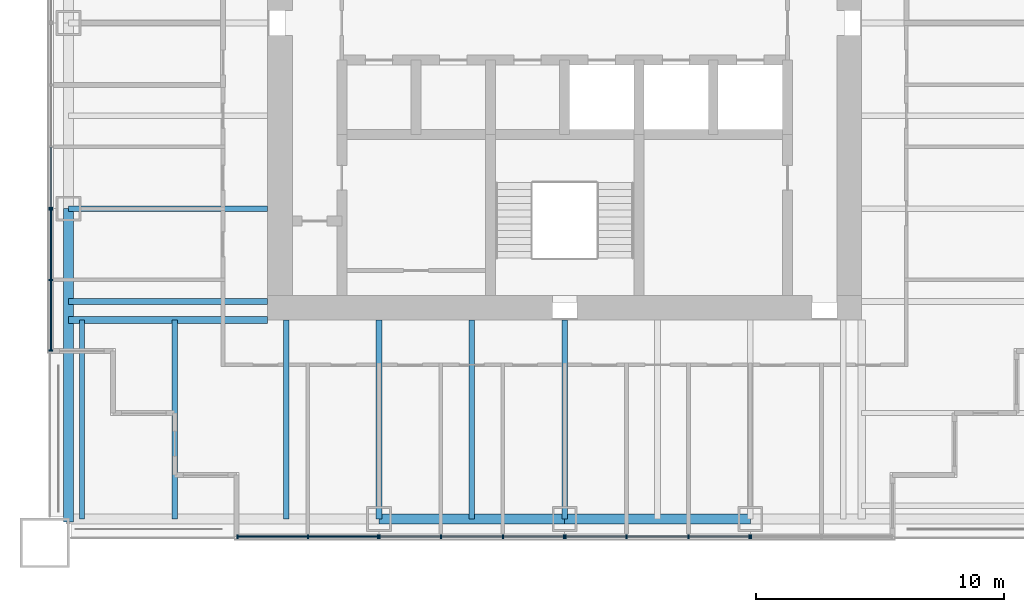
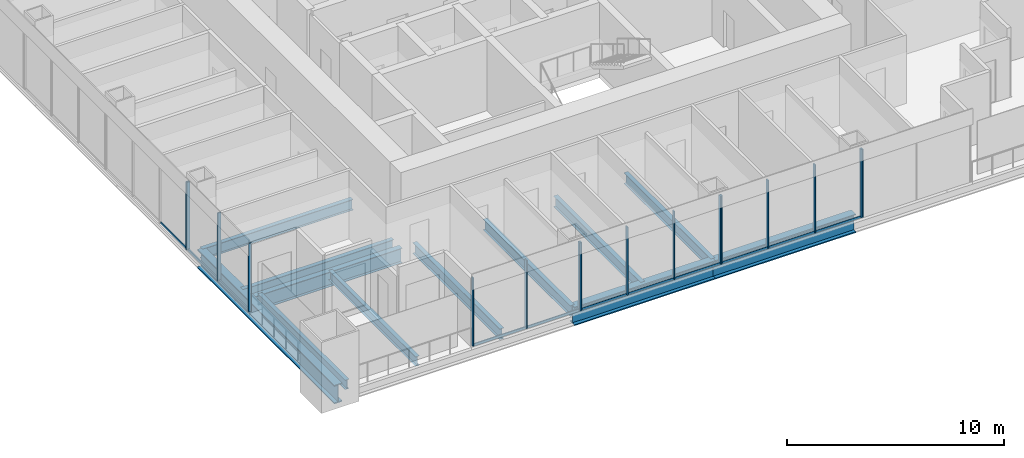
# One storey, part 2 of 14: 27 members, 12 beams, 6 elements without a shape of their own.
"""IFC4 building model written with IfcOpenShell, lengths in metres."""

from ifc_helpers import new_model, si_unit, direction, frame, origin, origin_2d, place, context, subcontext, project, spatial, rectangle, i_section, extrude, material, material_profile, profile_set, type_object, element, aggregate, save


model = new_model("IFC4")

# Units and contexts
model_context = context("Model", 3, precision=1e-05, world=origin(), true_north=direction((0.0, 1.0)))
body_context = subcontext(model_context, "Body", "Model", "MODEL_VIEW")
ifc_project = project(units=[si_unit("LENGTHUNIT", "METRE"), si_unit("AREAUNIT", "SQUARE_METRE"), si_unit("VOLUMEUNIT", "CUBIC_METRE"), si_unit("PLANEANGLEUNIT", "RADIAN"), si_unit("MASSUNIT", "GRAM", prefix="KILO")], contexts=[model_context])

# Site, building, storey
site_placement = place(None, origin())
site = spatial("IfcSite", under=ifc_project, at=site_placement, CompositionType="ELEMENT")
building_placement = place(site_placement, origin())
building = spatial("IfcBuilding", under=site, at=building_placement, Name="Tarangal Relay Tower", CompositionType="ELEMENT")
storey_placement = place(building_placement, frame((0.0, 0.0, 303.89990234375)))
storey = spatial("IfcBuildingStorey", under=building, at=storey_placement, Name="L67", CompositionType="ELEMENT", Elevation=303.89990234375)

# Beams
ifc_material_1 = material(Name="Steel ASTM A992", Category="steel")
ifc_material_profile_1 = material_profile(ifc_material_1, i_section(OverallWidth=0.209228515625, OverallDepth=0.533447265625, WebThickness=0.01025390625, FlangeThickness=0.015625, at=origin_2d()), Name="W21X62")
ifc_profile_set_1 = profile_set([ifc_material_profile_1], Name="Steel ASTM A992")
beam_type_1 = type_object("IfcBeamType", Name="Corner beam W21X62", PredefinedType="JOIST", material=ifc_profile_set_1)
for number, where, z_axis, x_axis, name in (
    (1, (-15.75, -12.0, -0.41650390625), (0.0, -1.0, 0.0), (1.0, 0.0, 0.0), "Corner beam CB12 S L67"),
    (2, (-19.5, -12.0, -0.41650390625), (0.0, -1.0, 0.0), (1.0, 0.0, 0.0), "Corner beam CB12 S L67"),
):
    element("IfcBeam", number, at=place(storey_placement, frame(where, z_axis=z_axis, x_axis=x_axis)), inside=storey, type_object=beam_type_1, Name=name, PredefinedType="JOIST", context=body_context, shape_type="SweptSolid", body=[
        extrude(i_section(OverallWidth=0.209228515625, OverallDepth=0.533447265625, WebThickness=0.01025390625, FlangeThickness=0.015625, at=origin_2d()), origin(), (0.0, 0.0, 1.0), 8.0400390625),
    ])
ifc_material_profile_2 = material_profile(ifc_material_1, i_section(OverallWidth=0.2919921875, OverallDepth=0.8408203125, WebThickness=0.0146484375, FlangeThickness=0.021728515625, at=origin_2d()), Name="W33X130")
ifc_profile_set_2 = profile_set([ifc_material_profile_2], Name="Steel ASTM A992")
beam_type_2 = type_object("IfcBeamType", Name="Corner girder W33X130", PredefinedType="BEAM", material=ifc_profile_set_2)
beam_1_placement = place(storey_placement, frame((-12.0, -12.0, -0.5703125), z_axis=(-1.0, 0.0, 0.0), x_axis=(0.0, -1.0, 0.0)))
element("IfcBeam", 3, at=beam_1_placement, inside=storey, type_object=beam_type_2, Name="Corner girder CG5 S L67", PredefinedType="BEAM", context=body_context, shape_type="SweptSolid", body=[
    extrude(i_section(OverallWidth=0.2919921875, OverallDepth=0.8408203125, WebThickness=0.0146484375, FlangeThickness=0.021728515625, at=origin_2d()), origin(), (0.0, 0.0, 1.0), 8.0400390625),
])
ifc_material_profile_3 = material_profile(ifc_material_1, i_section(OverallWidth=0.41162109375, OverallDepth=1.049072265625, WebThickness=0.033935546875, FlangeThickness=0.059814453125, at=origin_2d()), Name="W40X431")
ifc_profile_set_3 = profile_set([ifc_material_profile_3], Name="Steel ASTM A992")
beam_type_3 = type_object("IfcBeamType", Name="Edge girder W40X431", PredefinedType="SPANDREL", material=ifc_profile_set_3)
for number, where, z_axis, x_axis, name in (
    (4, (7.5, -20.0400390625, -0.67431640625), (-1.0, 0.0, 0.0), (0.0, -1.0, 0.0), "Edge girder EG1 S L67"),
    (5, (0.0, -20.0400390625, -0.67431640625), (-1.0, 0.0, 0.0), (0.0, -1.0, 0.0), "Edge girder EG1 S L67"),
):
    element("IfcBeam", number, at=place(storey_placement, frame(where, z_axis=z_axis, x_axis=x_axis)), inside=storey, type_object=beam_type_3, Name=name, PredefinedType="SPANDREL", context=body_context, shape_type="SweptSolid", body=[
        extrude(i_section(OverallWidth=0.41162109375, OverallDepth=1.049072265625, WebThickness=0.033935546875, FlangeThickness=0.059814453125, at=origin_2d()), origin(), (0.0, 0.0, 1.0), 7.5),
    ])
beam_2_placement = place(storey_placement, frame((-20.0400390625, -20.14990234375, -0.67431640625), z_axis=(0.0, 1.0, 0.0), x_axis=(-1.0, 0.0, 0.0)))
element("IfcBeam", 6, at=beam_2_placement, inside=storey, type_object=beam_type_3, Name="Edge girder EG1 W L67", PredefinedType="SPANDREL", context=body_context, shape_type="SweptSolid", body=[
    extrude(i_section(OverallWidth=0.41162109375, OverallDepth=1.049072265625, WebThickness=0.033935546875, FlangeThickness=0.059814453125, at=origin_2d()), origin(), (0.0, 0.0, 1.0), 12.64990234375),
])
ifc_material_profile_4 = material_profile(ifc_material_1, i_section(OverallWidth=0.228271484375, OverallDepth=0.607177734375, WebThickness=0.01123046875, FlangeThickness=0.017333984375, at=origin_2d()), Name="W24X76")
ifc_profile_set_4 = profile_set([ifc_material_profile_4], Name="Steel ASTM A992")
beam_type_4 = type_object("IfcBeamType", Name="Floor beam W24X76", PredefinedType="BEAM", material=ifc_profile_set_4)
for number, where, z_axis, x_axis, name in (
    (7, (0.0, -12.0, -0.453369140625), (0.0, -1.0, 0.0), (1.0, 0.0, 0.0), "Floor beam RB5 S L67"),
    (8, (-3.75, -12.0, -0.453369140625), (0.0, -1.0, 0.0), (1.0, 0.0, 0.0), "Floor beam RB5 S L67"),
    (9, (-7.5, -12.0, -0.453369140625), (0.0, -1.0, 0.0), (1.0, 0.0, 0.0), "Floor beam RB5 S L67"),
    (10, (-11.25, -12.0, -0.453369140625), (0.0, -1.0, 0.0), (1.0, 0.0, 0.0), "Floor beam RB5 S L67"),
    (11, (-12.0, -11.25, -0.453369140625), (-1.0, 0.0, 0.0), (0.0, -1.0, 0.0), "Floor beam RB5 W L67"),
    (12, (-12.0, -7.5, -0.453369140625), (-1.0, 0.0, 0.0), (0.0, -1.0, 0.0), "Floor beam RB5 W L67"),
):
    element("IfcBeam", number, at=place(storey_placement, frame(where, z_axis=z_axis, x_axis=x_axis)), inside=storey, type_object=beam_type_4, Name=name, PredefinedType="BEAM", context=body_context, shape_type="SweptSolid", body=[
        extrude(i_section(OverallWidth=0.228271484375, OverallDepth=0.607177734375, WebThickness=0.01123046875, FlangeThickness=0.017333984375, at=origin_2d()), origin(), (0.0, 0.0, 1.0), 8.0400390625),
    ])

# Curtain wall, members
ifc_material_2 = material(Name="Unitised curtain wall, dark glass and black aluminium", Category="aluminium")
curtain_wall_type_1 = type_object("IfcCurtainWallType", Name="Curtain wall CW-B", PredefinedType="USERDEFINED", material=ifc_material_2)
curtain_wall_1_placement = place(storey_placement, origin())
curtain_wall_1 = element("IfcCurtainWall", 13, at=curtain_wall_1_placement, inside=storey, type_object=curtain_wall_type_1, Name="Curtain wall CW-B S facade L67", ObjectType="UNITISED CURTAIN WALL", PredefinedType="USERDEFINED")
ifc_material_3 = material(Name="Black anodised aluminium mullion", Category="aluminium")
ifc_material_profile_5 = material_profile(ifc_material_3, rectangle(XDim=0.159912109375, YDim=0.06005859375, at=origin_2d()), Name="CW-BM 60X160")
ifc_profile_set_5 = profile_set([ifc_material_profile_5], Name="Black anodised aluminium mullion")
member_type_1 = type_object("IfcMemberType", Name="Mullion CW-B 60 x 160", PredefinedType="MULLION", material=ifc_profile_set_5)
member_1_placement = place(storey_placement, frame((7.469970703125, -20.75, 0.0), z_axis=(0.0, 0.0, 1.0), x_axis=(0.0, -1.0, 0.0)))
member_1 = element("IfcMember", 14, at=member_1_placement, type_object=member_type_1, Name="CW-B mullion 1", PredefinedType="MULLION", context=body_context, shape_type="SweptSolid", body=[
    extrude(rectangle(XDim=0.159912109375, YDim=0.06005859375, at=origin_2d()), origin(), (0.0, 0.0, 1.0), 3.85009765625),
])
member_2_placement = place(storey_placement, frame((5.0, -20.75, 0.0), z_axis=(0.0, 0.0, 1.0), x_axis=(0.0, -1.0, 0.0)))
member_2 = element("IfcMember", 15, at=member_2_placement, type_object=member_type_1, Name="CW-B mullion 2", PredefinedType="MULLION", context=body_context, shape_type="SweptSolid", body=[
    extrude(rectangle(XDim=0.159912109375, YDim=0.06005859375, at=origin_2d()), origin(), (0.0, 0.0, 1.0), 3.85009765625),
])
member_3_placement = place(storey_placement, frame((2.5, -20.75, 0.0), z_axis=(0.0, 0.0, 1.0), x_axis=(0.0, -1.0, 0.0)))
member_3 = element("IfcMember", 16, at=member_3_placement, type_object=member_type_1, Name="CW-B mullion 3", PredefinedType="MULLION", context=body_context, shape_type="SweptSolid", body=[
    extrude(rectangle(XDim=0.159912109375, YDim=0.06005859375, at=origin_2d()), origin(), (0.0, 0.0, 1.0), 3.85009765625),
])
member_4_placement = place(storey_placement, frame((0.030029296875, -20.75, 0.0), z_axis=(0.0, 0.0, 1.0), x_axis=(0.0, -1.0, 0.0)))
member_4 = element("IfcMember", 17, at=member_4_placement, type_object=member_type_1, Name="CW-B mullion 4", PredefinedType="MULLION", context=body_context, shape_type="SweptSolid", body=[
    extrude(rectangle(XDim=0.159912109375, YDim=0.06005859375, at=origin_2d()), origin(), (0.0, 0.0, 1.0), 3.85009765625),
])

curtain_wall_2_placement = place(storey_placement, origin())
curtain_wall_2 = element("IfcCurtainWall", 18, at=curtain_wall_2_placement, inside=storey, type_object=curtain_wall_type_1, Name="Curtain wall CW-B S facade L67", ObjectType="UNITISED CURTAIN WALL", PredefinedType="USERDEFINED")
member_5_placement = place(storey_placement, frame((-0.030029296875, -20.75, 0.0), z_axis=(0.0, 0.0, 1.0), x_axis=(0.0, -1.0, 0.0)))
member_5 = element("IfcMember", 19, at=member_5_placement, type_object=member_type_1, Name="CW-B mullion 1", PredefinedType="MULLION", context=body_context, shape_type="SweptSolid", body=[
    extrude(rectangle(XDim=0.159912109375, YDim=0.06005859375, at=origin_2d()), origin(), (0.0, 0.0, 1.0), 3.85009765625),
])
member_6_placement = place(storey_placement, frame((-2.5, -20.75, 0.0), z_axis=(0.0, 0.0, 1.0), x_axis=(0.0, -1.0, 0.0)))
member_6 = element("IfcMember", 20, at=member_6_placement, type_object=member_type_1, Name="CW-B mullion 2", PredefinedType="MULLION", context=body_context, shape_type="SweptSolid", body=[
    extrude(rectangle(XDim=0.159912109375, YDim=0.06005859375, at=origin_2d()), origin(), (0.0, 0.0, 1.0), 3.85009765625),
])
member_7_placement = place(storey_placement, frame((-5.0, -20.75, 0.0), z_axis=(0.0, 0.0, 1.0), x_axis=(0.0, -1.0, 0.0)))
member_7 = element("IfcMember", 21, at=member_7_placement, type_object=member_type_1, Name="CW-B mullion 3", PredefinedType="MULLION", context=body_context, shape_type="SweptSolid", body=[
    extrude(rectangle(XDim=0.159912109375, YDim=0.06005859375, at=origin_2d()), origin(), (0.0, 0.0, 1.0), 3.85009765625),
])
member_8_placement = place(storey_placement, frame((-7.469970703125, -20.75, 0.0), z_axis=(0.0, 0.0, 1.0), x_axis=(0.0, -1.0, 0.0)))
member_8 = element("IfcMember", 22, at=member_8_placement, type_object=member_type_1, Name="CW-B mullion 4", PredefinedType="MULLION", context=body_context, shape_type="SweptSolid", body=[
    extrude(rectangle(XDim=0.159912109375, YDim=0.06005859375, at=origin_2d()), origin(), (0.0, 0.0, 1.0), 3.85009765625),
])

# Curtain wall, member
curtain_wall_3_placement = place(storey_placement, origin())
curtain_wall_3 = element("IfcCurtainWall", 23, at=curtain_wall_3_placement, inside=storey, type_object=curtain_wall_type_1, Name="Curtain wall CW-B W facade L67", ObjectType="UNITISED CURTAIN WALL", PredefinedType="USERDEFINED")
member_9_placement = place(storey_placement, frame((-20.75, -7.469970703125, 0.0), z_axis=(0.0, 0.0, 1.0), x_axis=(-1.0, 0.0, 0.0)))
member_9 = element("IfcMember", 24, at=member_9_placement, type_object=member_type_1, Name="CW-B mullion 1", PredefinedType="MULLION", context=body_context, shape_type="SweptSolid", body=[
    extrude(rectangle(XDim=0.159912109375, YDim=0.06005859375, at=origin_2d()), origin(), (0.0, 0.0, 1.0), 3.85009765625),
])

ifc_material_4 = material(Name="Unitised curtain wall frame, black aluminium, with metal clad infill walls", Category="aluminium")
curtain_wall_type_2 = type_object("IfcCurtainWallType", Name="Curtain wall CW-BO", PredefinedType="USERDEFINED", material=ifc_material_4)
curtain_wall_4_placement = place(storey_placement, origin())
curtain_wall_4 = element("IfcCurtainWall", 25, at=curtain_wall_4_placement, inside=storey, type_object=curtain_wall_type_2, Name="Curtain wall CW-BO S facade L67", ObjectType="UNITISED CURTAIN WALL", PredefinedType="USERDEFINED")
ifc_material_profile_6 = material_profile(ifc_material_3, rectangle(XDim=0.159912109375, YDim=0.06005859375, at=origin_2d()), Name="CW-BOM 60X160")
ifc_profile_set_6 = profile_set([ifc_material_profile_6], Name="Black anodised aluminium mullion")
member_type_2 = type_object("IfcMemberType", Name="Mullion CW-BO 60 x 160", PredefinedType="MULLION", material=ifc_profile_set_6)
member_10_placement = place(storey_placement, frame((7.530029296875, -20.75, 0.0), z_axis=(0.0, 0.0, 1.0), x_axis=(0.0, -1.0, 0.0)))
member_10 = element("IfcMember", 26, at=member_10_placement, type_object=member_type_2, Name="CW-BO mullion 3", PredefinedType="MULLION", context=body_context, shape_type="SweptSolid", body=[
    extrude(rectangle(XDim=0.159912109375, YDim=0.06005859375, at=origin_2d()), origin(), (0.0, 0.0, 1.0), 3.85009765625),
])
aggregate(curtain_wall_4, [member_10])

# Curtain wall, members
curtain_wall_5_placement = place(storey_placement, origin())
curtain_wall_5 = element("IfcCurtainWall", 27, at=curtain_wall_5_placement, inside=storey, type_object=curtain_wall_type_2, Name="Curtain wall CW-BO S facade L67", ObjectType="UNITISED CURTAIN WALL", PredefinedType="USERDEFINED")
member_11_placement = place(storey_placement, frame((-7.530029296875, -20.75, 0.0), z_axis=(0.0, 0.0, 1.0), x_axis=(0.0, -1.0, 0.0)))
member_11 = element("IfcMember", 28, at=member_11_placement, type_object=member_type_2, Name="CW-BO mullion 1", PredefinedType="MULLION", context=body_context, shape_type="SweptSolid", body=[
    extrude(rectangle(XDim=0.159912109375, YDim=0.06005859375, at=origin_2d()), origin(), (0.0, 0.0, 1.0), 3.85009765625),
])
member_12_placement = place(storey_placement, frame((-10.375, -20.75, 0.0), z_axis=(0.0, 0.0, 1.0), x_axis=(0.0, -1.0, 0.0)))
member_12 = element("IfcMember", 29, at=member_12_placement, type_object=member_type_2, Name="CW-BO mullion 2", PredefinedType="MULLION", context=body_context, shape_type="SweptSolid", body=[
    extrude(rectangle(XDim=0.159912109375, YDim=0.06005859375, at=origin_2d()), origin(), (0.0, 0.0, 1.0), 3.85009765625),
])
member_13_placement = place(storey_placement, frame((-13.219970703125, -20.75, 0.0), z_axis=(0.0, 0.0, 1.0), x_axis=(0.0, -1.0, 0.0)))
member_13 = element("IfcMember", 30, at=member_13_placement, type_object=member_type_2, Name="CW-BO mullion 3", PredefinedType="MULLION", context=body_context, shape_type="SweptSolid", body=[
    extrude(rectangle(XDim=0.159912109375, YDim=0.06005859375, at=origin_2d()), origin(), (0.0, 0.0, 1.0), 3.85009765625),
])

curtain_wall_6_placement = place(storey_placement, origin())
curtain_wall_6 = element("IfcCurtainWall", 31, at=curtain_wall_6_placement, inside=storey, type_object=curtain_wall_type_2, Name="Curtain wall CW-BO W facade L67", ObjectType="UNITISED CURTAIN WALL", PredefinedType="USERDEFINED")
member_14_placement = place(storey_placement, frame((-20.75, -13.219970703125, 0.0), z_axis=(0.0, 0.0, 1.0), x_axis=(-1.0, 0.0, 0.0)))
member_14 = element("IfcMember", 32, at=member_14_placement, type_object=member_type_2, Name="CW-BO mullion 1", PredefinedType="MULLION", context=body_context, shape_type="SweptSolid", body=[
    extrude(rectangle(XDim=0.159912109375, YDim=0.06005859375, at=origin_2d()), origin(), (0.0, 0.0, 1.0), 3.85009765625),
])
member_15_placement = place(storey_placement, frame((-20.75, -10.375, 0.0), z_axis=(0.0, 0.0, 1.0), x_axis=(-1.0, 0.0, 0.0)))
member_15 = element("IfcMember", 33, at=member_15_placement, type_object=member_type_2, Name="CW-BO mullion 2", PredefinedType="MULLION", context=body_context, shape_type="SweptSolid", body=[
    extrude(rectangle(XDim=0.159912109375, YDim=0.06005859375, at=origin_2d()), origin(), (0.0, 0.0, 1.0), 3.85009765625),
])
member_16_placement = place(storey_placement, frame((-20.75, -7.530029296875, 0.0), z_axis=(0.0, 0.0, 1.0), x_axis=(-1.0, 0.0, 0.0)))
member_16 = element("IfcMember", 34, at=member_16_placement, type_object=member_type_2, Name="CW-BO mullion 3", PredefinedType="MULLION", context=body_context, shape_type="SweptSolid", body=[
    extrude(rectangle(XDim=0.159912109375, YDim=0.06005859375, at=origin_2d()), origin(), (0.0, 0.0, 1.0), 3.85009765625),
])

# Member
ifc_material_5 = material(Name="Black anodised aluminium transom", Category="aluminium")
ifc_material_profile_7 = material_profile(ifc_material_5, rectangle(XDim=0.06005859375, YDim=0.1298828125, at=origin_2d()), Name="CW-BT 60X130")
ifc_profile_set_7 = profile_set([ifc_material_profile_7], Name="Black anodised aluminium transom")
member_type_3 = type_object("IfcMemberType", Name="Transom CW-B 60 x 130", PredefinedType="USERDEFINED", material=ifc_profile_set_7)
member_17_placement = place(storey_placement, frame((7.43994140625, -20.75, 0.030029296875), z_axis=(-1.0, 0.0, 0.0), x_axis=(0.0, -1.0, 0.0)))
member_17 = element("IfcMember", 35, at=member_17_placement, type_object=member_type_3, Name="CW-B transom 1.1", ObjectType="TRANSOM", PredefinedType="USERDEFINED", context=body_context, shape_type="SweptSolid", body=[
    extrude(rectangle(XDim=0.06005859375, YDim=0.1298828125, at=origin_2d()), origin(), (0.0, 0.0, 1.0), 2.409912109375),
])

member_18_placement = place(storey_placement, frame((4.969970703125, -20.75, 0.030029296875), z_axis=(-1.0, 0.0, 0.0), x_axis=(0.0, -1.0, 0.0)))
member_18 = element("IfcMember", 36, at=member_18_placement, type_object=member_type_3, Name="CW-B transom 2.1", ObjectType="TRANSOM", PredefinedType="USERDEFINED", context=body_context, shape_type="SweptSolid", body=[
    extrude(rectangle(XDim=0.06005859375, YDim=0.1298828125, at=origin_2d()), origin(), (0.0, 0.0, 1.0), 2.43994140625),
])

member_19_placement = place(storey_placement, frame((2.469970703125, -20.75, 0.030029296875), z_axis=(-1.0, 0.0, 0.0), x_axis=(0.0, -1.0, 0.0)))
member_19 = element("IfcMember", 37, at=member_19_placement, type_object=member_type_3, Name="CW-B transom 3.1", ObjectType="TRANSOM", PredefinedType="USERDEFINED", context=body_context, shape_type="SweptSolid", body=[
    extrude(rectangle(XDim=0.06005859375, YDim=0.1298828125, at=origin_2d()), origin(), (0.0, 0.0, 1.0), 2.409912109375),
])

aggregate(curtain_wall_1, [member_1, member_2, member_3, member_4, member_17, member_18, member_19])

member_20_placement = place(storey_placement, frame((-0.06005859375, -20.75, 0.030029296875), z_axis=(-1.0, 0.0, 0.0), x_axis=(0.0, -1.0, 0.0)))
member_20 = element("IfcMember", 38, at=member_20_placement, type_object=member_type_3, Name="CW-B transom 1.1", ObjectType="TRANSOM", PredefinedType="USERDEFINED", context=body_context, shape_type="SweptSolid", body=[
    extrude(rectangle(XDim=0.06005859375, YDim=0.1298828125, at=origin_2d()), origin(), (0.0, 0.0, 1.0), 2.409912109375),
])

member_21_placement = place(storey_placement, frame((-2.530029296875, -20.75, 0.030029296875), z_axis=(-1.0, 0.0, 0.0), x_axis=(0.0, -1.0, 0.0)))
member_21 = element("IfcMember", 39, at=member_21_placement, type_object=member_type_3, Name="CW-B transom 2.1", ObjectType="TRANSOM", PredefinedType="USERDEFINED", context=body_context, shape_type="SweptSolid", body=[
    extrude(rectangle(XDim=0.06005859375, YDim=0.1298828125, at=origin_2d()), origin(), (0.0, 0.0, 1.0), 2.43994140625),
])

member_22_placement = place(storey_placement, frame((-5.030029296875, -20.75, 0.030029296875), z_axis=(-1.0, 0.0, 0.0), x_axis=(0.0, -1.0, 0.0)))
member_22 = element("IfcMember", 40, at=member_22_placement, type_object=member_type_3, Name="CW-B transom 3.1", ObjectType="TRANSOM", PredefinedType="USERDEFINED", context=body_context, shape_type="SweptSolid", body=[
    extrude(rectangle(XDim=0.06005859375, YDim=0.1298828125, at=origin_2d()), origin(), (0.0, 0.0, 1.0), 2.409912109375),
])

aggregate(curtain_wall_2, [member_5, member_6, member_7, member_8, member_20, member_21, member_22])

member_23_placement = place(storey_placement, frame((-20.75, -7.43994140625, 0.030029296875), z_axis=(0.0, 1.0, 0.0), x_axis=(-1.0, 0.0, 0.0)))
member_23 = element("IfcMember", 41, at=member_23_placement, type_object=member_type_3, Name="CW-B transom 1.1", ObjectType="TRANSOM", PredefinedType="USERDEFINED", context=body_context, shape_type="SweptSolid", body=[
    extrude(rectangle(XDim=0.06005859375, YDim=0.1298828125, at=origin_2d()), origin(), (0.0, 0.0, 1.0), 2.409912109375),
])

aggregate(curtain_wall_3, [member_9, member_23])

ifc_material_profile_8 = material_profile(ifc_material_5, rectangle(XDim=0.06005859375, YDim=0.1298828125, at=origin_2d()), Name="CW-BOT 60X130")
ifc_profile_set_8 = profile_set([ifc_material_profile_8], Name="Black anodised aluminium transom")
member_type_4 = type_object("IfcMemberType", Name="Transom CW-BO 60 x 130", PredefinedType="USERDEFINED", material=ifc_profile_set_8)
member_24_placement = place(storey_placement, frame((-7.56005859375, -20.75, 0.030029296875), z_axis=(-1.0, 0.0, 0.0), x_axis=(0.0, -1.0, 0.0)))
member_24 = element("IfcMember", 42, at=member_24_placement, type_object=member_type_4, Name="CW-BO transom 1.1", ObjectType="TRANSOM", PredefinedType="USERDEFINED", context=body_context, shape_type="SweptSolid", body=[
    extrude(rectangle(XDim=0.06005859375, YDim=0.1298828125, at=origin_2d()), origin(), (0.0, 0.0, 1.0), 2.784912109375),
])

member_25_placement = place(storey_placement, frame((-10.405029296875, -20.75, 0.030029296875), z_axis=(-1.0, 0.0, 0.0), x_axis=(0.0, -1.0, 0.0)))
member_25 = element("IfcMember", 43, at=member_25_placement, type_object=member_type_4, Name="CW-BO transom 2.1", ObjectType="TRANSOM", PredefinedType="USERDEFINED", context=body_context, shape_type="SweptSolid", body=[
    extrude(rectangle(XDim=0.06005859375, YDim=0.1298828125, at=origin_2d()), origin(), (0.0, 0.0, 1.0), 2.784912109375),
])

aggregate(curtain_wall_5, [member_11, member_12, member_13, member_24, member_25])

member_26_placement = place(storey_placement, frame((-20.75, -13.18994140625, 0.030029296875), z_axis=(0.0, 1.0, 0.0), x_axis=(-1.0, 0.0, 0.0)))
member_26 = element("IfcMember", 44, at=member_26_placement, type_object=member_type_4, Name="CW-BO transom 1.1", ObjectType="TRANSOM", PredefinedType="USERDEFINED", context=body_context, shape_type="SweptSolid", body=[
    extrude(rectangle(XDim=0.06005859375, YDim=0.1298828125, at=origin_2d()), origin(), (0.0, 0.0, 1.0), 2.784912109375),
])

member_27_placement = place(storey_placement, frame((-20.75, -10.344970703125, 0.030029296875), z_axis=(0.0, 1.0, 0.0), x_axis=(-1.0, 0.0, 0.0)))
member_27 = element("IfcMember", 45, at=member_27_placement, type_object=member_type_4, Name="CW-BO transom 2.1", ObjectType="TRANSOM", PredefinedType="USERDEFINED", context=body_context, shape_type="SweptSolid", body=[
    extrude(rectangle(XDim=0.06005859375, YDim=0.1298828125, at=origin_2d()), origin(), (0.0, 0.0, 1.0), 2.784912109375),
])

aggregate(curtain_wall_6, [member_14, member_15, member_16, member_26, member_27])

save(model, "model.ifc")
